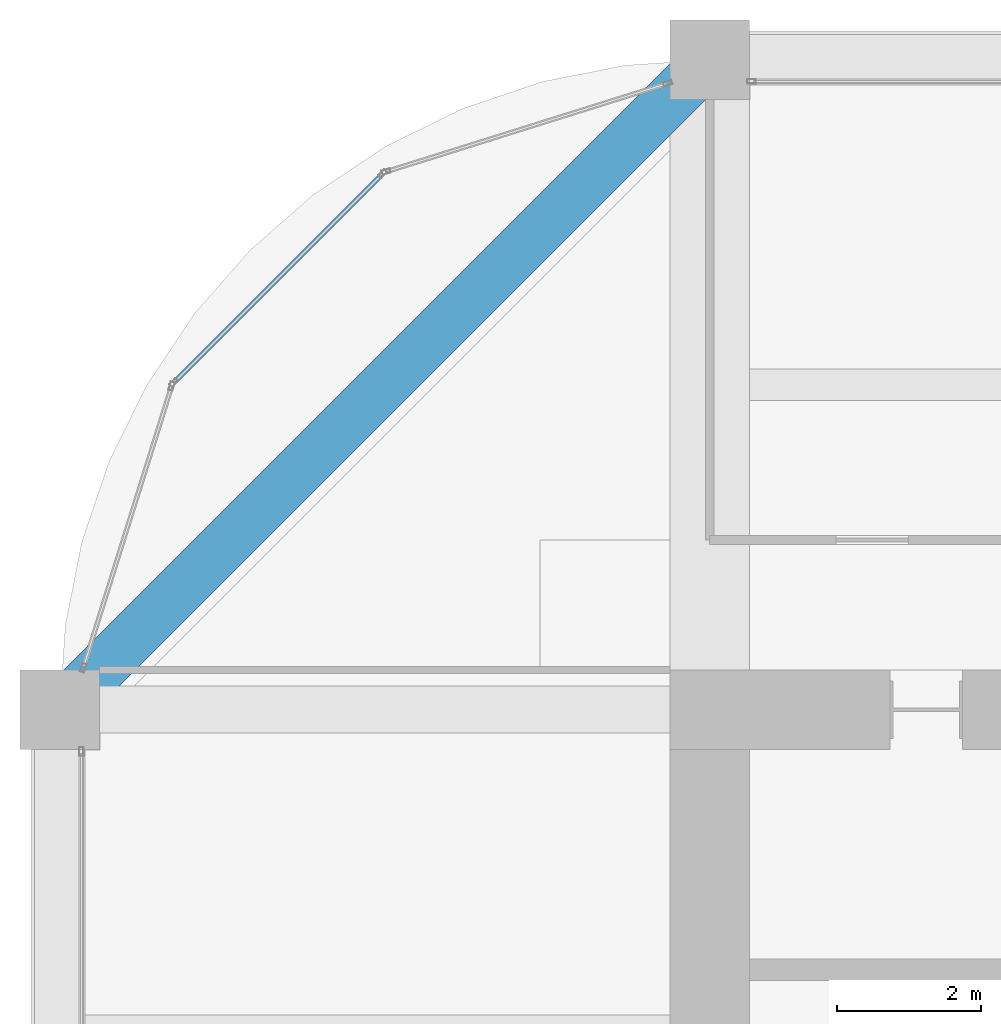
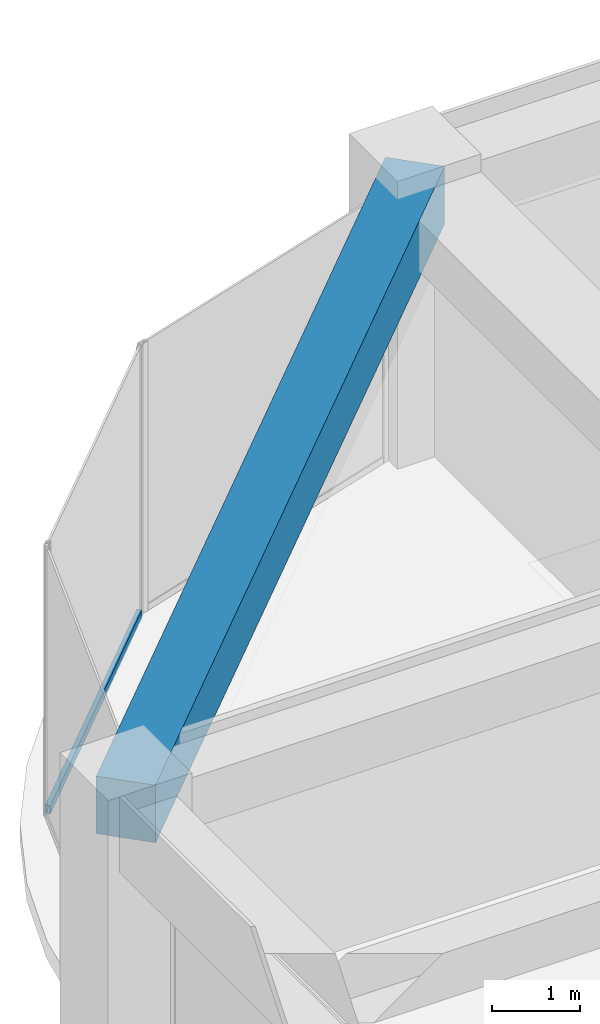
# One storey, part 29 of 44: 1 beam, 1 member, 1 element without a shape of its own.
"""IFC4 building model written with IfcOpenShell, lengths in metres."""

from ifc_helpers import new_model, si_unit, direction, frame, origin, origin_2d, place, context, subcontext, project, spatial, rectangle, hollow_rectangle, extrude, material, material_profile, profile_set, type_object, element, aggregate, save


model = new_model("IFC4")

# Units and contexts
model_context = context("Model", 3, precision=1e-05, world=origin(), true_north=direction((0.0, 1.0)))
body_context = subcontext(model_context, "Body", "Model", "MODEL_VIEW")
ifc_project = project(units=[si_unit("LENGTHUNIT", "METRE"), si_unit("AREAUNIT", "SQUARE_METRE"), si_unit("VOLUMEUNIT", "CUBIC_METRE"), si_unit("PLANEANGLEUNIT", "RADIAN"), si_unit("MASSUNIT", "GRAM", prefix="KILO")], contexts=[model_context])

# Site, building, storey
site_placement = place(None, origin())
site = spatial("IfcSite", under=ifc_project, at=site_placement, CompositionType="ELEMENT")
building_placement = place(site_placement, origin())
building = spatial("IfcBuilding", under=site, at=building_placement, Name="Zorevar Civic Tower", CompositionType="ELEMENT")
storey_placement = place(building_placement, frame((0.0, 0.0, 299.39990234375)))
storey = spatial("IfcBuildingStorey", under=building, at=storey_placement, Name="L73", CompositionType="ELEMENT", Elevation=299.39990234375)

# Curtain wall, member
ifc_material_1 = material(Name="Dark grey solar-control glass in black aluminium frame", Category="aluminium")
curtain_wall_type = type_object("IfcCurtainWallType", Name="Curtain wall CW5 top zone", PredefinedType="NOTDEFINED", material=ifc_material_1)
curtain_wall_placement = place(storey_placement, origin())
curtain_wall = element("IfcCurtainWall", 1, at=curtain_wall_placement, inside=storey, type_object=curtain_wall_type, Name="CW5 L73", PredefinedType="NOTDEFINED")
ifc_material_2 = material(Name="Aluminium, black anodised", Category="aluminium")
ifc_material_profile_1 = material_profile(ifc_material_2, hollow_rectangle(XDim=0.06005859375, YDim=0.1201171875, WallThickness=0.0029296875, at=origin_2d()), Name="AL 120x60x3")
ifc_profile_set_1 = profile_set([ifc_material_profile_1], Name="Aluminium, black anodised")
member_type = type_object("IfcMemberType", Name="CW5 transom AL 120x60x3", PredefinedType="USERDEFINED", material=ifc_profile_set_1)
member_placement = place(storey_placement, frame((13.44970703125, 43.3984375, 0.030029296875), z_axis=(-0.707106781187, -0.707106781187, 0.0), x_axis=(0.707106781187, -0.707106781187, 0.0)))
member = element("IfcMember", 2, at=member_placement, type_object=member_type, Name="CW5 sill transom", ObjectType="TRANSOM", PredefinedType="USERDEFINED", context=body_context, shape_type="SweptSolid", body=[
    extrude(hollow_rectangle(XDim=0.06005859375, YDim=0.1201171875, WallThickness=0.0029296875, at=origin_2d()), origin(), (0.0, 0.0, 1.0), 4.02783203125),
])
aggregate(curtain_wall, [member])

# Beam
ifc_material_3 = material(Name="Concrete C50/60", Category="concrete")
ifc_material_profile_2 = material_profile(ifc_material_3, rectangle(XDim=0.699951171875, YDim=0.800048828125, at=origin_2d()), Name="RC 700x800")
ifc_profile_set_2 = profile_set([ifc_material_profile_2], Name="Concrete C50/60")
beam_type = type_object("IfcBeamType", Name="Edge beam RC 700x800", PredefinedType="SPANDREL", material=ifc_profile_set_2)
beam_placement = place(storey_placement, frame((18.0, 45.0, 3.35009765625), z_axis=(-0.707106781187, -0.707106781187, 0.0), x_axis=(0.707106781187, -0.707106781187, 0.0)))
element("IfcBeam", 3, at=beam_placement, inside=storey, type_object=beam_type, Name="Corner edge beam L74", PredefinedType="SPANDREL", context=body_context, shape_type="SweptSolid", body=[
    extrude(rectangle(XDim=0.699951171875, YDim=0.800048828125, at=origin_2d()), origin(), (0.0, 0.0, 1.0), 12.72802734375),
])

save(model, "model.ifc")
